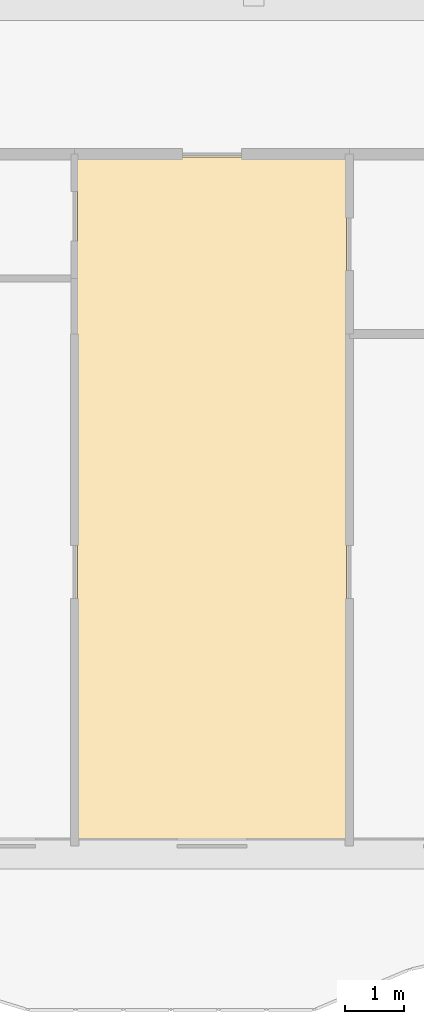
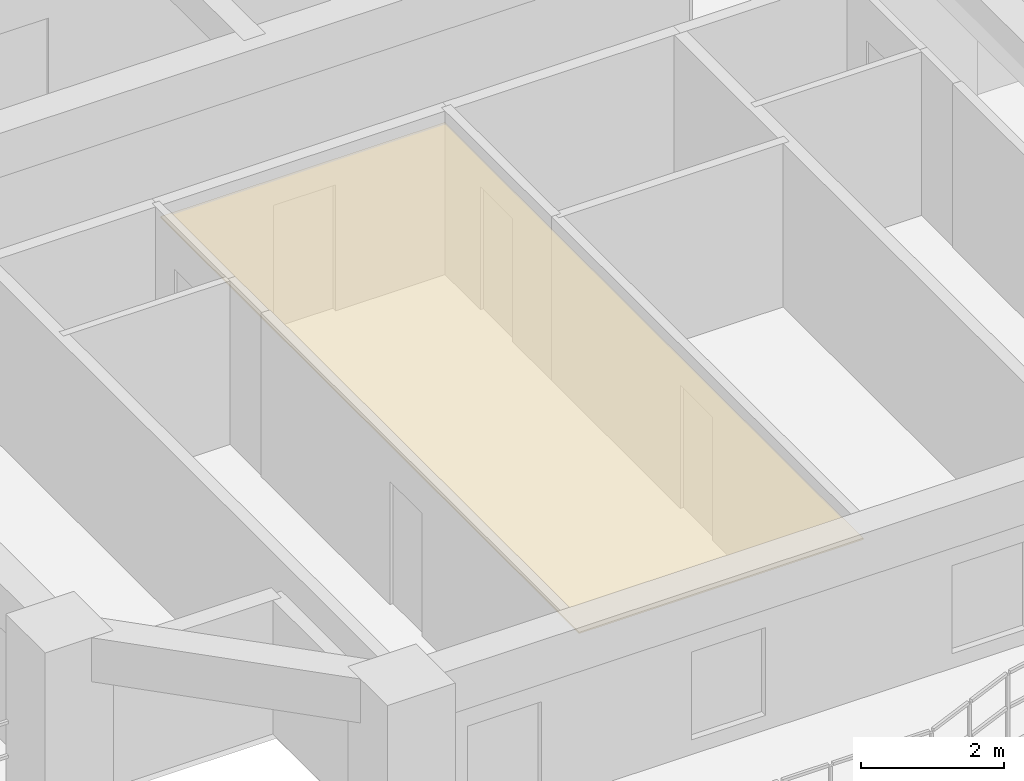
# One storey, part 10 of 16: 1 covering.
"""IFC4 building model written with IfcOpenShell, lengths in metres."""

from ifc_helpers import new_model, si_unit, direction, frame, origin, place, context, subcontext, project, spatial, polyline, outline, extrude, material, layer, layer_set, type_object, element, save


model = new_model("IFC4")

# Units and contexts
model_context = context("Model", 3, precision=1e-05, world=origin(), true_north=direction((0.0, 1.0)))
body_context = subcontext(model_context, "Body", "Model", "MODEL_VIEW")
ifc_project = project(units=[si_unit("LENGTHUNIT", "METRE"), si_unit("AREAUNIT", "SQUARE_METRE"), si_unit("VOLUMEUNIT", "CUBIC_METRE"), si_unit("PLANEANGLEUNIT", "RADIAN"), si_unit("MASSUNIT", "GRAM", prefix="KILO")], contexts=[model_context])

# Site, building, storey
site_placement = place(None, origin())
site = spatial("IfcSite", under=ifc_project, at=site_placement, CompositionType="ELEMENT")
building_placement = place(site_placement, origin())
building = spatial("IfcBuilding", under=site, at=building_placement, Name="Saelheon Loggia Tower", CompositionType="ELEMENT")
storey_placement = place(building_placement, frame((0.0, 0.0, 64.39990234375)))
storey = spatial("IfcBuildingStorey", under=building, at=storey_placement, Name="L20", CompositionType="ELEMENT", Elevation=64.39990234375)

# Covering
ifc_material = material(Name="Mineral-Fibre Acoustic Ceiling Board", Category="gypsum")
ifc_layer = layer(ifc_material, 0.02490234375)
ifc_layer_set = layer_set([ifc_layer], Name="Mineral-Fibre Acoustic Ceiling Board")
covering_type = type_object("IfcCoveringType", Name="Cov_Ceiling_Acoustic", PredefinedType="CEILING", material=ifc_layer_set)
covering_placement = place(storey_placement, frame((0.0, 0.0, 2.53515625)))
element("IfcCovering", 1, at=covering_placement, inside=storey, type_object=covering_type, Name="L20 Acoustic Suspended Ceiling", PredefinedType="CEILING", context=body_context, shape_type="SweptSolid", body=[
    extrude(outline(polyline([(18.47998046875, 3.199951171875), (23.067138671875, 3.199951171875), (23.067138671875, 14.89990234375), (18.47998046875, 14.89990234375), (18.47998046875, 3.199951171875)])), origin(), (0.0, 0.0, 1.0), 0.02490234375),
])

save(model, "model.ifc")
